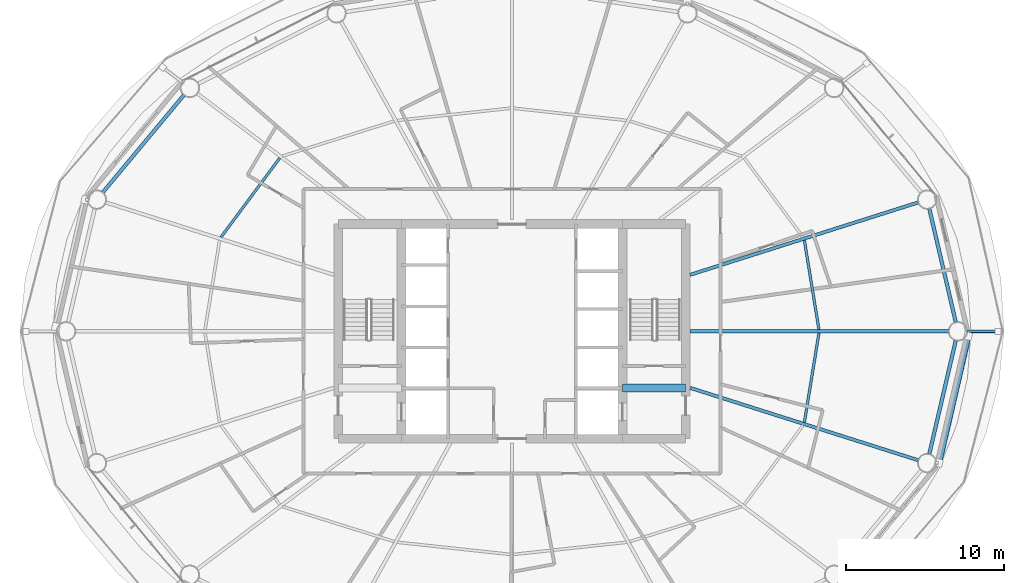
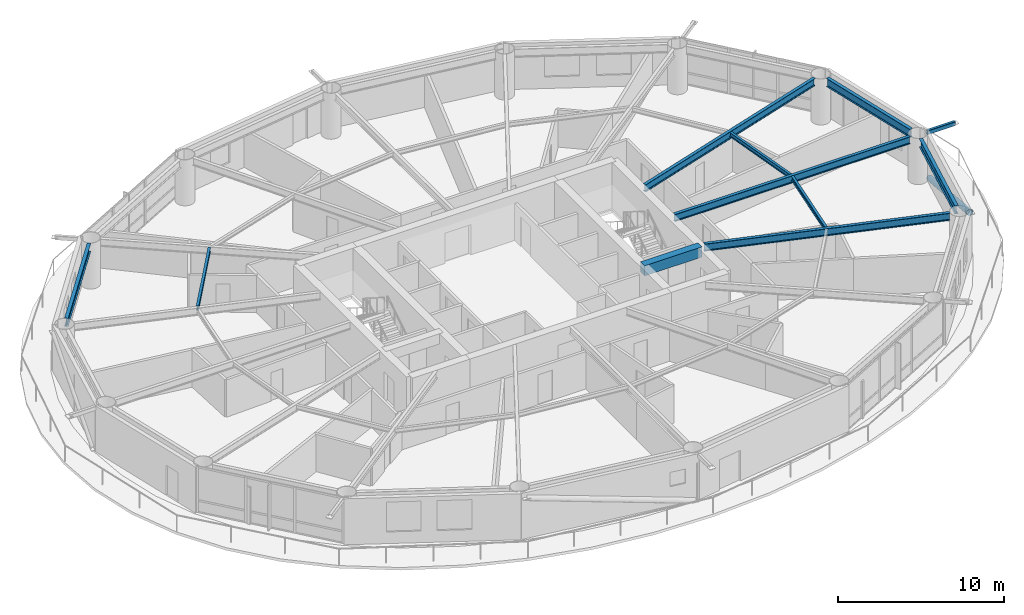
# One storey, part 7 of 24: 10 beams, 2 members.
"""IFC4 building model written with IfcOpenShell, lengths in metres."""

from ifc_helpers import new_model, si_unit, direction, frame, origin, origin_2d, place, context, subcontext, project, spatial, rectangle, hollow_rectangle, hollow_circle, i_section, extrude, material, material_profile, profile_set, type_object, element, save


model = new_model("IFC4")

# Units and contexts
model_context = context("Model", 3, precision=1e-05, world=origin(), true_north=direction((0.0, 1.0)))
body_context = subcontext(model_context, "Body", "Model", "MODEL_VIEW")
ifc_project = project(units=[si_unit("LENGTHUNIT", "METRE"), si_unit("AREAUNIT", "SQUARE_METRE"), si_unit("VOLUMEUNIT", "CUBIC_METRE"), si_unit("PLANEANGLEUNIT", "RADIAN"), si_unit("MASSUNIT", "GRAM", prefix="KILO")], contexts=[model_context])

# Site, building, storey
site_placement = place(None, origin())
site = spatial("IfcSite", under=ifc_project, at=site_placement, CompositionType="ELEMENT")
building_placement = place(site_placement, origin())
building = spatial("IfcBuilding", under=site, at=building_placement, Name="Sarneth Arch Tower", CompositionType="ELEMENT")
storey_placement = place(building_placement, frame((0.0, 0.0, 116.39990234375)))
storey = spatial("IfcBuildingStorey", under=building, at=storey_placement, Name="L29", CompositionType="ELEMENT", Elevation=116.39990234375)

# Beams
ifc_material_1 = material(Name="Steel S355", Category="steel")
ifc_material_profile_1 = material_profile(ifc_material_1, i_section(OverallWidth=0.1669921875, OverallDepth=0.31689453125, WebThickness=0.007568359375, FlangeThickness=0.01318359375, FilletRadius=0.012939453125, at=origin_2d()), Name="W310x52")
ifc_profile_set_1 = profile_set([ifc_material_profile_1], Name="Steel S355")
beam_type_1 = type_object("IfcBeamType", Name="BM-JOIST-310B", PredefinedType="JOIST", material=ifc_profile_set_1)
beam_1_placement = place(storey_placement, frame((67.438720703125, 42.10400390625, 3.2216796875), z_axis=(-0.16118181609, 0.986924729735, 0.0), x_axis=(-0.986924729735, -0.16118181609, 0.0)))
element("IfcBeam", 1, at=beam_1_placement, inside=storey, type_object=beam_type_1, Name="L29 Secondary floor joist 01", PredefinedType="JOIST", context=body_context, shape_type="SweptSolid", body=[
    extrude(i_section(OverallWidth=0.1669921875, OverallDepth=0.31689453125, WebThickness=0.007568359375, FlangeThickness=0.01318359375, FilletRadius=0.012939453125, at=origin_2d()), origin(), (0.0, 0.0, 1.0), 5.736083984375),
])
beam_2_placement = place(storey_placement, frame((33.296630859375, 52.9794921875, 3.2216796875), z_axis=(-0.596098474255, -0.802911333206, 0.0), x_axis=(0.802911333206, -0.596098474255, 0.0)))
element("IfcBeam", 2, at=beam_2_placement, inside=storey, type_object=beam_type_1, Name="L29 Secondary floor joist 07", PredefinedType="JOIST", context=body_context, shape_type="SweptSolid", body=[
    extrude(i_section(OverallWidth=0.1669921875, OverallDepth=0.31689453125, WebThickness=0.007568359375, FlangeThickness=0.01318359375, FilletRadius=0.012939453125, at=origin_2d()), origin(), (0.0, 0.0, 1.0), 6.259033203125),
])
beam_3_placement = place(storey_placement, frame((66.51416015625, 36.23486328125, 3.2216796875), z_axis=(0.16118181609, 0.986924729735, 0.0), x_axis=(-0.986924729735, 0.16118181609, 0.0)))
element("IfcBeam", 3, at=beam_3_placement, inside=storey, type_object=beam_type_1, Name="L29 Secondary floor joist 16", PredefinedType="JOIST", context=body_context, shape_type="SweptSolid", body=[
    extrude(i_section(OverallWidth=0.1669921875, OverallDepth=0.31689453125, WebThickness=0.007568359375, FlangeThickness=0.01318359375, FilletRadius=0.012939453125, at=origin_2d()), origin(), (0.0, 0.0, 1.0), 5.736083984375),
])
ifc_material_2 = material(Name="Concrete C50/60", Category="concrete")
ifc_material_profile_2 = material_profile(ifc_material_2, rectangle(XDim=0.5, YDim=0.75, at=origin_2d()), Name="RC-500x750")
ifc_profile_set_2 = profile_set([ifc_material_profile_2], Name="Concrete C50/60")
beam_type_2 = type_object("IfcBeamType", Name="BM-LINTEL-RC", PredefinedType="LINTEL", material=ifc_profile_set_2)
beam_4_placement = place(storey_placement, frame((55.0, 38.39990234375, 3.005126953125), z_axis=(1.0, 0.0, 0.0), x_axis=(0.0, 1.0, 0.0)))
element("IfcBeam", 4, at=beam_4_placement, inside=storey, type_object=beam_type_2, Name="L29 Core coupling lintel E", PredefinedType="LINTEL", context=body_context, shape_type="SweptSolid", body=[
    extrude(rectangle(XDim=0.5, YDim=0.75, at=origin_2d()), origin(), (0.0, 0.0, 1.0), 4.0),
])
ifc_material_3 = material(Name="Steel S355", Category="steel")
ifc_material_profile_3 = material_profile(ifc_material_3, i_section(OverallWidth=0.2109375, OverallDepth=0.5390625, WebThickness=0.01171875, FlangeThickness=0.018798828125, FilletRadius=0.01806640625, at=origin_2d()), Name="W530x109")
ifc_profile_set_3 = profile_set([ifc_material_profile_3], Name="Steel S355")
beam_type_3 = type_object("IfcBeamType", Name="BM-RAD-530B", PredefinedType="BEAM", material=ifc_profile_set_3)
beam_5_placement = place(storey_placement, frame((59.27490234375, 42.0, 3.110595703125), z_axis=(1.0, 0.0, 0.0), x_axis=(0.0, 1.0, 0.0)))
element("IfcBeam", 5, at=beam_5_placement, inside=storey, type_object=beam_type_3, Name="L29 Radial floor girder 01", PredefinedType="BEAM", context=body_context, shape_type="SweptSolid", body=[
    extrude(i_section(OverallWidth=0.2109375, OverallDepth=0.5390625, WebThickness=0.01171875, FlangeThickness=0.018798828125, FilletRadius=0.01806640625, at=origin_2d()), origin(), (0.0, 0.0, 1.0), 16.36181640625),
])
for number, where, z_axis, x_axis, name in (
    (6, (59.27490234375, 45.57763671875, 3.110595703125), (0.953162461637, 0.302458793435, 0.0), (-0.302458793435, 0.953162461637, 0.0), "L29 Radial floor girder 02"),
    (7, (59.27490234375, 38.42236328125, 3.110595703125), (0.953162461637, -0.302458793435, 0.0), (0.302458793435, 0.953162461637, 0.0), "L29 Radial floor girder 16"),
):
    element("IfcBeam", number, at=place(storey_placement, frame(where, z_axis=z_axis, x_axis=x_axis)), inside=storey, type_object=beam_type_3, Name=name, PredefinedType="BEAM", context=body_context, shape_type="SweptSolid", body=[
        extrude(i_section(OverallWidth=0.2109375, OverallDepth=0.5390625, WebThickness=0.01171875, FlangeThickness=0.018798828125, FilletRadius=0.01806640625, at=origin_2d()), origin(), (0.0, 0.0, 1.0), 15.154052734375),
    ])
ifc_material_4 = material(Name="Steel S355", Category="steel")
ifc_material_profile_4 = material_profile(ifc_material_4, i_section(OverallWidth=0.22900390625, OverallDepth=0.612060546875, WebThickness=0.011962890625, FlangeThickness=0.01953125, FilletRadius=0.01904296875, at=origin_2d()), Name="W610x125")
ifc_profile_set_4 = profile_set([ifc_material_profile_4], Name="Steel S355")
beam_type_4 = type_object("IfcBeamType", Name="BM-SPAN-610C", PredefinedType="SPANDREL", material=ifc_profile_set_4)
beam_6_placement = place(storey_placement, frame((76.100341796875, 42.584228515625, 3.07421875), z_axis=(-0.227088175252, 0.973874201661, 0.0), x_axis=(-0.973874201661, -0.227088175252, 0.0)))
element("IfcBeam", 8, at=beam_6_placement, inside=storey, type_object=beam_type_4, Name="L29 Perimeter spandrel beam 01", PredefinedType="SPANDREL", context=body_context, shape_type="SweptSolid", body=[
    extrude(i_section(OverallWidth=0.22900390625, OverallDepth=0.612060546875, WebThickness=0.011962890625, FlangeThickness=0.01953125, FilletRadius=0.01904296875, at=origin_2d()), origin(), (0.0, 0.0, 1.0), 7.366455078125),
])
beam_7_placement = place(storey_placement, frame((27.21826171875, 56.9541015625, 3.07421875), z_axis=(-0.640163403463, -0.768238775946, 0.0), x_axis=(0.768238775946, -0.640163403463, 0.0)))
element("IfcBeam", 9, at=beam_7_placement, inside=storey, type_object=beam_type_4, Name="L29 Perimeter spandrel beam 07", PredefinedType="SPANDREL", context=body_context, shape_type="SweptSolid", body=[
    extrude(i_section(OverallWidth=0.22900390625, OverallDepth=0.612060546875, WebThickness=0.011962890625, FlangeThickness=0.01953125, FilletRadius=0.01904296875, at=origin_2d()), origin(), (0.0, 0.0, 1.0), 8.006103515625),
])
beam_8_placement = place(storey_placement, frame((74.427490234375, 34.24169921875, 3.07421875), z_axis=(0.227088175252, 0.973874201661, 0.0), x_axis=(-0.973874201661, 0.227088175252, 0.0)))
element("IfcBeam", 10, at=beam_8_placement, inside=storey, type_object=beam_type_4, Name="L29 Perimeter spandrel beam 16", PredefinedType="SPANDREL", context=body_context, shape_type="SweptSolid", body=[
    extrude(i_section(OverallWidth=0.22900390625, OverallDepth=0.612060546875, WebThickness=0.011962890625, FlangeThickness=0.01953125, FilletRadius=0.01904296875, at=origin_2d()), origin(), (0.0, 0.0, 1.0), 7.366455078125),
])

# Members
ifc_material_5 = material(Name="Steel S355", Category="steel")
ifc_material_profile_5 = material_profile(ifc_material_5, hollow_rectangle(XDim=0.199951171875, YDim=0.300048828125, WallThickness=0.012451171875, InnerFilletRadius=0.018798828125, OuterFilletRadius=0.03125, at=origin_2d()), Name="RHS300x200x12.5")
ifc_profile_set_5 = profile_set([ifc_material_profile_5], Name="Steel S355")
member_type_1 = type_object("IfcMemberType", Name="MEM-CANT-STRUT", PredefinedType="STRUT", material=ifc_profile_set_5)
member_1_placement = place(storey_placement, frame((76.836669921875, 42.0, 3.22021484375), z_axis=(1.0, 0.0, 0.0), x_axis=(0.0, 1.0, 0.0)))
element("IfcMember", 11, at=member_1_placement, inside=storey, type_object=member_type_1, Name="L29 Balcony cantilever bracket 01", PredefinedType="STRUT", context=body_context, shape_type="SweptSolid", body=[
    extrude(hollow_rectangle(XDim=0.199951171875, YDim=0.300048828125, WallThickness=0.012451171875, InnerFilletRadius=0.018798828125, OuterFilletRadius=0.03125, at=origin_2d()), origin(), (0.0, 0.0, 1.0), 1.95166015625),
])
ifc_material_6 = material(Name="Steel S355", Category="steel")
ifc_material_profile_6 = material_profile(ifc_material_6, hollow_circle(Radius=0.202880859375, WallThickness=0.01611328125, at=origin_2d()), Name="CHS406x16")
ifc_profile_set_6 = profile_set([ifc_material_profile_6], Name="Steel S355")
member_type_2 = type_object("IfcMemberType", Name="MEM-DIAG-BR2", PredefinedType="BRACE", material=ifc_profile_set_6)
member_2_placement = place(storey_placement, frame((76.878662109375, 41.707763671875, 0.02001953125), z_axis=(-0.211849757262, -0.915864196825, 0.341046116123), x_axis=(0.974275349464, -0.225360918143, 0.0)))
element("IfcMember", 12, at=member_2_placement, inside=storey, type_object=member_type_2, Name="L29 Perimeter frame diagonal 16", PredefinedType="BRACE", context=body_context, shape_type="SweptSolid", body=[
    extrude(hollow_circle(Radius=0.202880859375, WallThickness=0.01611328125, at=origin_2d()), origin(), (0.0, 0.0, 1.0), 8.775634765625),
])

save(model, "model.ifc")
